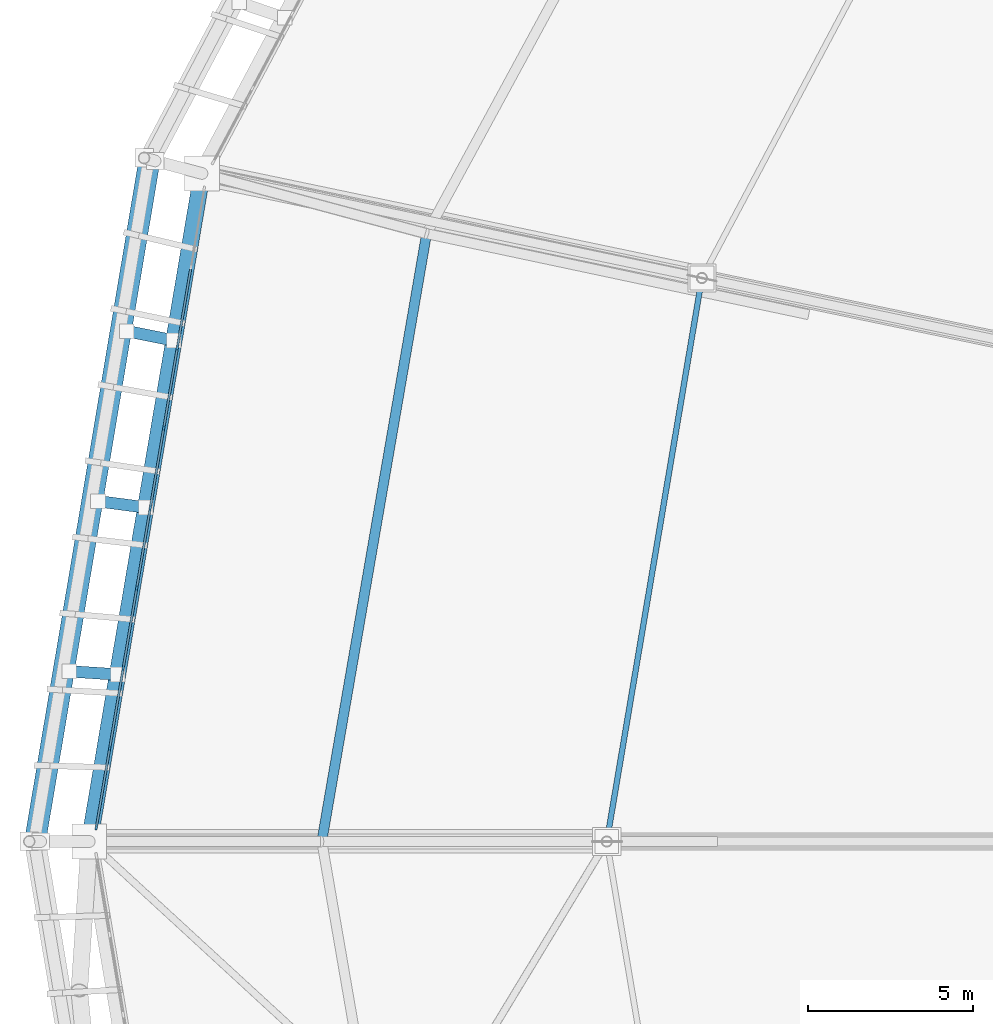
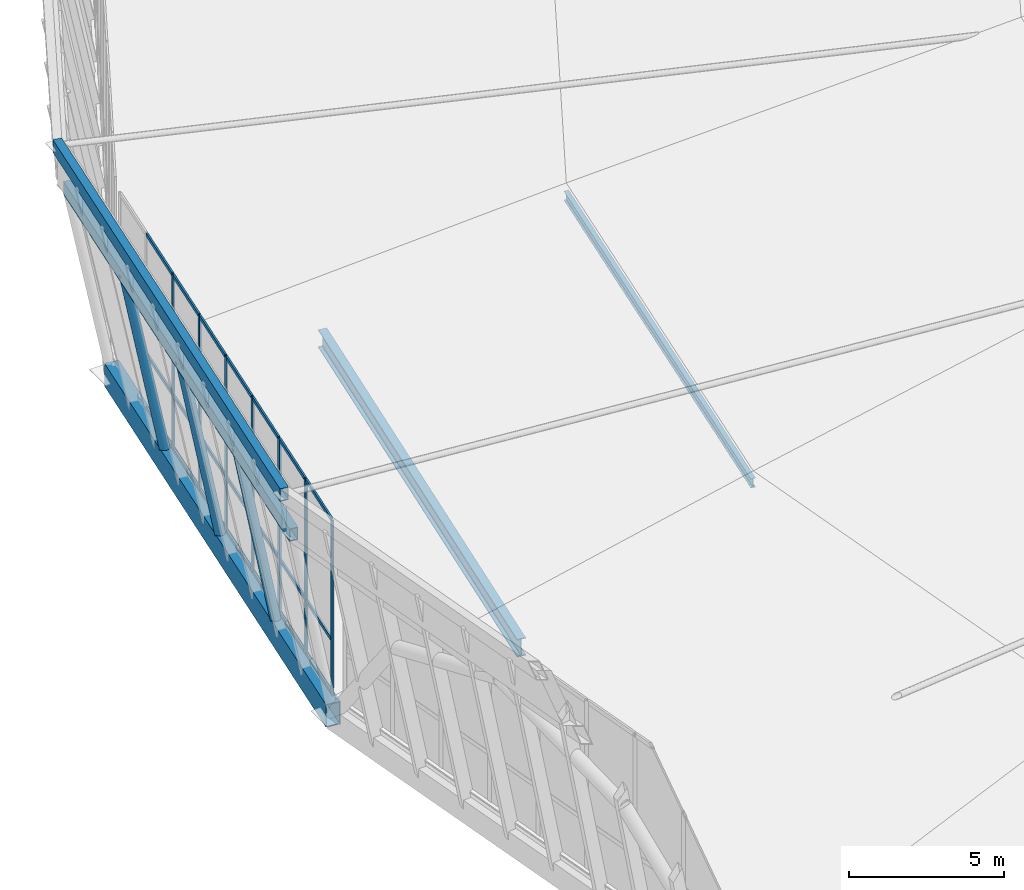
# One storey, part 23 of 115: 32 members, 4 beams, 1 element without a shape of its own.
"""IFC4 building model written with IfcOpenShell, lengths in metres."""

from ifc_helpers import new_model, si_unit, direction, frame, origin, origin_2d, place, context, subcontext, project, spatial, rectangle, hollow_rectangle, hollow_circle, i_section, extrude, material, material_profile, profile_set, type_object, element, aggregate, save


model = new_model("IFC4")

# Units and contexts
model_context = context("Model", 3, precision=1e-05, world=origin(), true_north=direction((0.0, 1.0)))
body_context = subcontext(model_context, "Body", "Model", "MODEL_VIEW")
ifc_project = project(units=[si_unit("LENGTHUNIT", "METRE"), si_unit("AREAUNIT", "SQUARE_METRE"), si_unit("VOLUMEUNIT", "CUBIC_METRE"), si_unit("PLANEANGLEUNIT", "RADIAN"), si_unit("MASSUNIT", "GRAM", prefix="KILO")], contexts=[model_context])

# Site, building, storey
site_placement = place(None, origin())
site = spatial("IfcSite", under=ifc_project, at=site_placement, CompositionType="ELEMENT")
building_placement = place(site_placement, origin())
building = spatial("IfcBuilding", under=site, at=building_placement, Name="Zlatoyarsky Gate Stadium", CompositionType="ELEMENT")
storey_placement = place(building_placement, frame((0.0, 0.0, 31.800048828125)))
storey = spatial("IfcBuildingStorey", under=building, at=storey_placement, Name="RF", CompositionType="ELEMENT", Elevation=31.800048828125)

# Curtain wall, members
ifc_material_1 = material(Name="Thermally broken anodised aluminium curtain wall", Category="aluminium")
curtain_wall_type = type_object("IfcCurtainWallType", Name="UNITISED SKYBOX RING GLAZING L05", PredefinedType="USERDEFINED", material=ifc_material_1)
curtain_wall_placement = place(storey_placement, origin())
curtain_wall = element("IfcCurtainWall", 1, at=curtain_wall_placement, inside=storey, type_object=curtain_wall_type, Name="Curtain wall CW-RF-11", ObjectType="UNITISED GLAZING", PredefinedType="USERDEFINED")
ifc_material_2 = material(Name="Anodised aluminium 6063-T6", Category="aluminium")
ifc_material_profile_1 = material_profile(ifc_material_2, rectangle(XDim=0.06494140625, YDim=0.159912109375, at=origin_2d()), Name="ALU 65X160")
ifc_profile_set_1 = profile_set([ifc_material_profile_1], Name="Anodised aluminium 6063-T6")
member_type_1 = type_object("IfcMemberType", Name="ALUMINIUM MULLION 65X160", PredefinedType="MULLION", material=ifc_profile_set_1)
member_1_placement = place(storey_placement, frame((13.6318359375, 94.921875, 0.0), z_axis=(0.0, 0.0, 1.0), x_axis=(0.986044463486, -0.166482179311, 0.0)))
member_1 = element("IfcMember", 2, at=member_1_placement, type_object=member_type_1, Name="CW-UG5 mullion 3", PredefinedType="MULLION", context=body_context, shape_type="SweptSolid", body=[
    extrude(rectangle(XDim=0.06494140625, YDim=0.159912109375, at=origin_2d()), origin(), (0.0, 0.0, 1.0), 6.89990234375),
])
member_2_placement = place(storey_placement, frame((13.222900390625, 92.500732421875, 0.0), z_axis=(0.0, 0.0, 1.0), x_axis=(0.986044463486, -0.166482179311, 0.0)))
member_2 = element("IfcMember", 3, at=member_2_placement, type_object=member_type_1, Name="CW-UG5 mullion 4", PredefinedType="MULLION", context=body_context, shape_type="SweptSolid", body=[
    extrude(rectangle(XDim=0.06494140625, YDim=0.159912109375, at=origin_2d()), origin(), (0.0, 0.0, 1.0), 6.89990234375),
])
member_3_placement = place(storey_placement, frame((12.814208984375, 90.079345703125, 0.0), z_axis=(0.0, 0.0, 1.0), x_axis=(0.986044463486, -0.166482179311, 0.0)))
member_3 = element("IfcMember", 4, at=member_3_placement, type_object=member_type_1, Name="CW-UG5 mullion 5", PredefinedType="MULLION", context=body_context, shape_type="SweptSolid", body=[
    extrude(rectangle(XDim=0.06494140625, YDim=0.159912109375, at=origin_2d()), origin(), (0.0, 0.0, 1.0), 6.89990234375),
])
member_4_placement = place(storey_placement, frame((12.405517578125, 87.658203125, 0.0), z_axis=(0.0, 0.0, 1.0), x_axis=(0.986044463486, -0.166482179311, 0.0)))
member_4 = element("IfcMember", 5, at=member_4_placement, type_object=member_type_1, Name="CW-UG5 mullion 6", PredefinedType="MULLION", context=body_context, shape_type="SweptSolid", body=[
    extrude(rectangle(XDim=0.06494140625, YDim=0.159912109375, at=origin_2d()), origin(), (0.0, 0.0, 1.0), 6.89990234375),
])
member_5_placement = place(storey_placement, frame((11.99658203125, 85.23681640625, 0.0), z_axis=(0.0, 0.0, 1.0), x_axis=(0.986044463486, -0.166482179311, 0.0)))
member_5 = element("IfcMember", 6, at=member_5_placement, type_object=member_type_1, Name="CW-UG5 mullion 7", PredefinedType="MULLION", context=body_context, shape_type="SweptSolid", body=[
    extrude(rectangle(XDim=0.06494140625, YDim=0.159912109375, at=origin_2d()), origin(), (0.0, 0.0, 1.0), 6.89990234375),
])
member_6_placement = place(storey_placement, frame((11.587890625, 82.815673828125, 0.0), z_axis=(0.0, 0.0, 1.0), x_axis=(0.986044463486, -0.166482179311, 0.0)))
member_6 = element("IfcMember", 7, at=member_6_placement, type_object=member_type_1, Name="CW-UG5 mullion 8", PredefinedType="MULLION", context=body_context, shape_type="SweptSolid", body=[
    extrude(rectangle(XDim=0.06494140625, YDim=0.159912109375, at=origin_2d()), origin(), (0.0, 0.0, 1.0), 6.89990234375),
])
member_7_placement = place(storey_placement, frame((11.184326171875, 80.426513671875, 0.0), z_axis=(0.0, 0.0, 1.0), x_axis=(0.986044463486, -0.166482179311, 0.0)))
member_7 = element("IfcMember", 8, at=member_7_placement, type_object=member_type_1, Name="CW-UG5 mullion 9", PredefinedType="MULLION", context=body_context, shape_type="SweptSolid", body=[
    extrude(rectangle(XDim=0.06494140625, YDim=0.159912109375, at=origin_2d()), origin(), (0.0, 0.0, 1.0), 6.89990234375),
])
ifc_material_profile_2 = material_profile(ifc_material_2, rectangle(XDim=0.06494140625, YDim=0.139892578125, at=origin_2d()), Name="ALU 65X140")
ifc_profile_set_2 = profile_set([ifc_material_profile_2], Name="Anodised aluminium 6063-T6")
member_type_2 = type_object("IfcMemberType", Name="ALUMINIUM TRANSOM 65X140", PredefinedType="USERDEFINED", material=ifc_profile_set_2)
member_8_placement = place(storey_placement, frame((14.03515625, 97.31103515625, 0.032470703125), z_axis=(-0.166468789266, -0.986046724147, 0.0), x_axis=(0.986046724147, -0.166468789266, 0.0)))
member_8 = element("IfcMember", 9, at=member_8_placement, type_object=member_type_2, Name="CW-UG5 transom 2.1", ObjectType="TRANSOM", PredefinedType="USERDEFINED", context=body_context, shape_type="SweptSolid", body=[
    extrude(rectangle(XDim=0.06494140625, YDim=0.139892578125, at=origin_2d()), origin(), (0.0, 0.0, 1.0), 2.390625),
])
member_9_placement = place(storey_placement, frame((14.03515625, 97.31103515625, 2.14990234375), z_axis=(-0.166468789266, -0.986046724147, 0.0), x_axis=(0.986046724147, -0.166468789266, 0.0)))
member_9 = element("IfcMember", 10, at=member_9_placement, type_object=member_type_2, Name="CW-UG5 transom 2.2", ObjectType="TRANSOM", PredefinedType="USERDEFINED", context=body_context, shape_type="SweptSolid", body=[
    extrude(rectangle(XDim=0.06494140625, YDim=0.139892578125, at=origin_2d()), origin(), (0.0, 0.0, 1.0), 2.390625),
])
member_10_placement = place(storey_placement, frame((14.03515625, 97.31103515625, 6.867431640625), z_axis=(-0.166468789266, -0.986046724147, 0.0), x_axis=(0.986046724147, -0.166468789266, 0.0)))
member_10 = element("IfcMember", 11, at=member_10_placement, type_object=member_type_2, Name="CW-UG5 transom 2.3", ObjectType="TRANSOM", PredefinedType="USERDEFINED", context=body_context, shape_type="SweptSolid", body=[
    extrude(rectangle(XDim=0.06494140625, YDim=0.139892578125, at=origin_2d()), origin(), (0.0, 0.0, 1.0), 2.390625),
])
member_11_placement = place(storey_placement, frame((13.62646484375, 94.889892578125, 0.032470703125), z_axis=(-0.166468789266, -0.986046724147, 0.0), x_axis=(0.986046724147, -0.166468789266, 0.0)))
member_11 = element("IfcMember", 12, at=member_11_placement, type_object=member_type_2, Name="CW-UG5 transom 3.1", ObjectType="TRANSOM", PredefinedType="USERDEFINED", context=body_context, shape_type="SweptSolid", body=[
    extrude(rectangle(XDim=0.06494140625, YDim=0.139892578125, at=origin_2d()), origin(), (0.0, 0.0, 1.0), 2.390625),
])
member_12_placement = place(storey_placement, frame((13.62646484375, 94.889892578125, 2.14990234375), z_axis=(-0.166468789266, -0.986046724147, 0.0), x_axis=(0.986046724147, -0.166468789266, 0.0)))
member_12 = element("IfcMember", 13, at=member_12_placement, type_object=member_type_2, Name="CW-UG5 transom 3.2", ObjectType="TRANSOM", PredefinedType="USERDEFINED", context=body_context, shape_type="SweptSolid", body=[
    extrude(rectangle(XDim=0.06494140625, YDim=0.139892578125, at=origin_2d()), origin(), (0.0, 0.0, 1.0), 2.390625),
])
member_13_placement = place(storey_placement, frame((13.62646484375, 94.889892578125, 6.867431640625), z_axis=(-0.166468789266, -0.986046724147, 0.0), x_axis=(0.986046724147, -0.166468789266, 0.0)))
member_13 = element("IfcMember", 14, at=member_13_placement, type_object=member_type_2, Name="CW-UG5 transom 3.3", ObjectType="TRANSOM", PredefinedType="USERDEFINED", context=body_context, shape_type="SweptSolid", body=[
    extrude(rectangle(XDim=0.06494140625, YDim=0.139892578125, at=origin_2d()), origin(), (0.0, 0.0, 1.0), 2.390625),
])
member_14_placement = place(storey_placement, frame((13.217529296875, 92.468505859375, 0.032470703125), z_axis=(-0.166468789266, -0.986046724147, 0.0), x_axis=(0.986046724147, -0.166468789266, 0.0)))
member_14 = element("IfcMember", 15, at=member_14_placement, type_object=member_type_2, Name="CW-UG5 transom 4.1", ObjectType="TRANSOM", PredefinedType="USERDEFINED", context=body_context, shape_type="SweptSolid", body=[
    extrude(rectangle(XDim=0.06494140625, YDim=0.139892578125, at=origin_2d()), origin(), (0.0, 0.0, 1.0), 2.390625),
])
member_15_placement = place(storey_placement, frame((13.217529296875, 92.468505859375, 2.14990234375), z_axis=(-0.166468789266, -0.986046724147, 0.0), x_axis=(0.986046724147, -0.166468789266, 0.0)))
member_15 = element("IfcMember", 16, at=member_15_placement, type_object=member_type_2, Name="CW-UG5 transom 4.2", ObjectType="TRANSOM", PredefinedType="USERDEFINED", context=body_context, shape_type="SweptSolid", body=[
    extrude(rectangle(XDim=0.06494140625, YDim=0.139892578125, at=origin_2d()), origin(), (0.0, 0.0, 1.0), 2.390625),
])
member_16_placement = place(storey_placement, frame((13.217529296875, 92.468505859375, 6.867431640625), z_axis=(-0.166468789266, -0.986046724147, 0.0), x_axis=(0.986046724147, -0.166468789266, 0.0)))
member_16 = element("IfcMember", 17, at=member_16_placement, type_object=member_type_2, Name="CW-UG5 transom 4.3", ObjectType="TRANSOM", PredefinedType="USERDEFINED", context=body_context, shape_type="SweptSolid", body=[
    extrude(rectangle(XDim=0.06494140625, YDim=0.139892578125, at=origin_2d()), origin(), (0.0, 0.0, 1.0), 2.390625),
])
member_17_placement = place(storey_placement, frame((12.808837890625, 90.04736328125, 0.032470703125), z_axis=(-0.166468789266, -0.986046724147, 0.0), x_axis=(0.986046724147, -0.166468789266, 0.0)))
member_17 = element("IfcMember", 18, at=member_17_placement, type_object=member_type_2, Name="CW-UG5 transom 5.1", ObjectType="TRANSOM", PredefinedType="USERDEFINED", context=body_context, shape_type="SweptSolid", body=[
    extrude(rectangle(XDim=0.06494140625, YDim=0.139892578125, at=origin_2d()), origin(), (0.0, 0.0, 1.0), 2.390625),
])
member_18_placement = place(storey_placement, frame((12.808837890625, 90.04736328125, 2.14990234375), z_axis=(-0.166468789266, -0.986046724147, 0.0), x_axis=(0.986046724147, -0.166468789266, 0.0)))
member_18 = element("IfcMember", 19, at=member_18_placement, type_object=member_type_2, Name="CW-UG5 transom 5.2", ObjectType="TRANSOM", PredefinedType="USERDEFINED", context=body_context, shape_type="SweptSolid", body=[
    extrude(rectangle(XDim=0.06494140625, YDim=0.139892578125, at=origin_2d()), origin(), (0.0, 0.0, 1.0), 2.390625),
])
member_19_placement = place(storey_placement, frame((12.808837890625, 90.04736328125, 6.867431640625), z_axis=(-0.166468789266, -0.986046724147, 0.0), x_axis=(0.986046724147, -0.166468789266, 0.0)))
member_19 = element("IfcMember", 20, at=member_19_placement, type_object=member_type_2, Name="CW-UG5 transom 5.3", ObjectType="TRANSOM", PredefinedType="USERDEFINED", context=body_context, shape_type="SweptSolid", body=[
    extrude(rectangle(XDim=0.06494140625, YDim=0.139892578125, at=origin_2d()), origin(), (0.0, 0.0, 1.0), 2.390625),
])
member_20_placement = place(storey_placement, frame((12.39990234375, 87.626220703125, 0.032470703125), z_axis=(-0.166468789266, -0.986046724147, 0.0), x_axis=(0.986046724147, -0.166468789266, 0.0)))
member_20 = element("IfcMember", 21, at=member_20_placement, type_object=member_type_2, Name="CW-UG5 transom 6.1", ObjectType="TRANSOM", PredefinedType="USERDEFINED", context=body_context, shape_type="SweptSolid", body=[
    extrude(rectangle(XDim=0.06494140625, YDim=0.139892578125, at=origin_2d()), origin(), (0.0, 0.0, 1.0), 2.390625),
])
member_21_placement = place(storey_placement, frame((12.39990234375, 87.626220703125, 2.14990234375), z_axis=(-0.166468789266, -0.986046724147, 0.0), x_axis=(0.986046724147, -0.166468789266, 0.0)))
member_21 = element("IfcMember", 22, at=member_21_placement, type_object=member_type_2, Name="CW-UG5 transom 6.2", ObjectType="TRANSOM", PredefinedType="USERDEFINED", context=body_context, shape_type="SweptSolid", body=[
    extrude(rectangle(XDim=0.06494140625, YDim=0.139892578125, at=origin_2d()), origin(), (0.0, 0.0, 1.0), 2.390625),
])
member_22_placement = place(storey_placement, frame((12.39990234375, 87.626220703125, 6.867431640625), z_axis=(-0.166468789266, -0.986046724147, 0.0), x_axis=(0.986046724147, -0.166468789266, 0.0)))
member_22 = element("IfcMember", 23, at=member_22_placement, type_object=member_type_2, Name="CW-UG5 transom 6.3", ObjectType="TRANSOM", PredefinedType="USERDEFINED", context=body_context, shape_type="SweptSolid", body=[
    extrude(rectangle(XDim=0.06494140625, YDim=0.139892578125, at=origin_2d()), origin(), (0.0, 0.0, 1.0), 2.390625),
])
member_23_placement = place(storey_placement, frame((11.9912109375, 85.204833984375, 0.032470703125), z_axis=(-0.166468789266, -0.986046724147, 0.0), x_axis=(0.986046724147, -0.166468789266, 0.0)))
member_23 = element("IfcMember", 24, at=member_23_placement, type_object=member_type_2, Name="CW-UG5 transom 7.1", ObjectType="TRANSOM", PredefinedType="USERDEFINED", context=body_context, shape_type="SweptSolid", body=[
    extrude(rectangle(XDim=0.06494140625, YDim=0.139892578125, at=origin_2d()), origin(), (0.0, 0.0, 1.0), 2.390625),
])
member_24_placement = place(storey_placement, frame((11.9912109375, 85.204833984375, 2.14990234375), z_axis=(-0.166468789266, -0.986046724147, 0.0), x_axis=(0.986046724147, -0.166468789266, 0.0)))
member_24 = element("IfcMember", 25, at=member_24_placement, type_object=member_type_2, Name="CW-UG5 transom 7.2", ObjectType="TRANSOM", PredefinedType="USERDEFINED", context=body_context, shape_type="SweptSolid", body=[
    extrude(rectangle(XDim=0.06494140625, YDim=0.139892578125, at=origin_2d()), origin(), (0.0, 0.0, 1.0), 2.390625),
])
member_25_placement = place(storey_placement, frame((11.9912109375, 85.204833984375, 6.867431640625), z_axis=(-0.166468789266, -0.986046724147, 0.0), x_axis=(0.986046724147, -0.166468789266, 0.0)))
member_25 = element("IfcMember", 26, at=member_25_placement, type_object=member_type_2, Name="CW-UG5 transom 7.3", ObjectType="TRANSOM", PredefinedType="USERDEFINED", context=body_context, shape_type="SweptSolid", body=[
    extrude(rectangle(XDim=0.06494140625, YDim=0.139892578125, at=origin_2d()), origin(), (0.0, 0.0, 1.0), 2.390625),
])
member_26_placement = place(storey_placement, frame((11.582275390625, 82.78369140625, 0.032470703125), z_axis=(-0.166379800687, -0.986061743464, 0.0), x_axis=(0.986061743464, -0.166379800687, 0.0)))
member_26 = element("IfcMember", 27, at=member_26_placement, type_object=member_type_2, Name="CW-UG5 transom 8.1", ObjectType="TRANSOM", PredefinedType="USERDEFINED", context=body_context, shape_type="SweptSolid", body=[
    extrude(rectangle(XDim=0.06494140625, YDim=0.139892578125, at=origin_2d()), origin(), (0.0, 0.0, 1.0), 2.358154296875),
])
member_27_placement = place(storey_placement, frame((11.582275390625, 82.78369140625, 2.14990234375), z_axis=(-0.166379800687, -0.986061743464, 0.0), x_axis=(0.986061743464, -0.166379800687, 0.0)))
member_27 = element("IfcMember", 28, at=member_27_placement, type_object=member_type_2, Name="CW-UG5 transom 8.2", ObjectType="TRANSOM", PredefinedType="USERDEFINED", context=body_context, shape_type="SweptSolid", body=[
    extrude(rectangle(XDim=0.06494140625, YDim=0.139892578125, at=origin_2d()), origin(), (0.0, 0.0, 1.0), 2.358154296875),
])
member_28_placement = place(storey_placement, frame((11.582275390625, 82.78369140625, 6.867431640625), z_axis=(-0.166379800687, -0.986061743464, 0.0), x_axis=(0.986061743464, -0.166379800687, 0.0)))
member_28 = element("IfcMember", 29, at=member_28_placement, type_object=member_type_2, Name="CW-UG5 transom 8.3", ObjectType="TRANSOM", PredefinedType="USERDEFINED", context=body_context, shape_type="SweptSolid", body=[
    extrude(rectangle(XDim=0.06494140625, YDim=0.139892578125, at=origin_2d()), origin(), (0.0, 0.0, 1.0), 2.358154296875),
])
aggregate(curtain_wall, [member_1, member_2, member_3, member_4, member_5, member_6, member_7, member_8, member_9, member_10, member_11, member_12, member_13, member_14, member_15, member_16, member_17, member_18, member_19, member_20, member_21, member_22, member_23, member_24, member_25, member_26, member_27, member_28])

# Members
ifc_material_3 = material(Name="Steel S355", Category="steel")
ifc_material_profile_3 = material_profile(ifc_material_3, hollow_circle(Radius=0.177734375, WallThickness=0.02001953125, at=origin_2d()), Name="CHS 355.6X20")
ifc_profile_set_3 = profile_set([ifc_material_profile_3], Name="Steel S355")
member_type_3 = type_object("IfcMemberType", Name="STEEL LEANING RIB RING STRUT CHS 355.6X20", PredefinedType="STRUT", material=ifc_profile_set_3)
member_29_placement = place(storey_placement, frame((13.52880859375, 95.146240234375, -0.449951171875), z_axis=(-0.18484356821, 0.036817280099, 0.982078073871), x_axis=(-0.195343507501, -0.980734884705, 0.0)))
element("IfcMember", 30, at=member_29_placement, inside=storey, type_object=member_type_3, Name="Outward-leaning bowl louvre fin rib RF 11-1", PredefinedType="STRUT", context=body_context, shape_type="SweptSolid", body=[
    extrude(hollow_circle(Radius=0.177734375, WallThickness=0.02001953125, at=origin_2d()), origin(), (0.0, 0.0, 1.0), 7.738525390625),
])
member_30_placement = place(storey_placement, frame((12.676513671875, 90.097412109375, -0.449951171875), z_axis=(-0.186436463482, 0.024578440523, 0.982159531515), x_axis=(-0.130701897913, -0.991421713441, 0.0)))
element("IfcMember", 31, at=member_30_placement, inside=storey, type_object=member_type_3, Name="Outward-leaning bowl louvre fin rib RF 11-2", PredefinedType="STRUT", context=body_context, shape_type="SweptSolid", body=[
    extrude(hollow_circle(Radius=0.177734375, WallThickness=0.02001953125, at=origin_2d()), origin(), (0.0, 0.0, 1.0), 7.73779296875),
])
member_31_placement = place(storey_placement, frame((11.824462890625, 85.048828125, -0.449951171875), z_axis=(-0.188031559001, 0.012272529606, 0.982086308751), x_axis=(-0.065129878095, -0.997876795491, 0.0)))
element("IfcMember", 32, at=member_31_placement, inside=storey, type_object=member_type_3, Name="Outward-leaning bowl louvre fin rib RF 11-3", PredefinedType="STRUT", context=body_context, shape_type="SweptSolid", body=[
    extrude(hollow_circle(Radius=0.177734375, WallThickness=0.02001953125, at=origin_2d()), origin(), (0.0, 0.0, 1.0), 7.738525390625),
])
ifc_material_profile_4 = material_profile(ifc_material_3, i_section(OverallWidth=0.169921875, OverallDepth=0.360107421875, WebThickness=0.008056640625, FlangeThickness=0.0126953125, FilletRadius=0.01806640625, at=origin_2d()), Name="IPE 360")
ifc_profile_set_4 = profile_set([ifc_material_profile_4], Name="Steel S355")
member_type_4 = type_object("IfcMemberType", Name="STEEL LONG SPAN PURLIN IPE 360", PredefinedType="PURLIN", material=ifc_profile_set_4)
member_32_placement = place(storey_placement, frame((29.491943359375, 97.03662109375, 3.179931640625), z_axis=(-0.166415106853, -0.986055785547, 0.0), x_axis=(0.986055785547, -0.166415106853, 0.0)))
element("IfcMember", 33, at=member_32_placement, inside=storey, type_object=member_type_4, Name="Stadium roof purlin 11.1", PredefinedType="PURLIN", context=body_context, shape_type="SweptSolid", body=[
    extrude(i_section(OverallWidth=0.169921875, OverallDepth=0.360107421875, WebThickness=0.008056640625, FlangeThickness=0.0126953125, FilletRadius=0.01806640625, at=origin_2d()), origin(), (0.0, 0.0, 1.0), 17.277587890625),
])

# Beams
ifc_material_profile_5 = material_profile(ifc_material_3, hollow_rectangle(XDim=0.300048828125, YDim=0.5, WallThickness=0.02001953125, at=origin_2d()), Name="RHS 500X300X20")
ifc_profile_set_5 = profile_set([ifc_material_profile_5], Name="Steel S355")
beam_type_1 = type_object("IfcBeamType", Name="STEEL LOUVRE CARRIER SPANDREL RHS 500X300X20", PredefinedType="SPANDREL", material=ifc_profile_set_5)
beam_1_placement = place(storey_placement, frame((12.963134765625, 100.574951171875, 7.14990234375), z_axis=(-0.165766985081, -0.986164949011, 0.0), x_axis=(0.986164949011, -0.165766985081, 0.0)))
element("IfcBeam", 34, at=beam_1_placement, inside=storey, type_object=beam_type_1, Name="Crown eaves fascia bottom carrier spandrel 11", PredefinedType="SPANDREL", context=body_context, shape_type="SweptSolid", body=[
    extrude(hollow_rectangle(XDim=0.300048828125, YDim=0.5, WallThickness=0.02001953125, at=origin_2d()), origin(), (0.0, 0.0, 1.0), 20.863525390625),
])
beam_2_placement = place(storey_placement, frame((12.626220703125, 100.665283203125, 8.849853515625), z_axis=(-0.165617482559, -0.986190067619, 0.0), x_axis=(0.986190067619, -0.165617482559, 0.0)))
element("IfcBeam", 35, at=beam_2_placement, inside=storey, type_object=beam_type_1, Name="Crown fascia top carrier spandrel 11", PredefinedType="SPANDREL", context=body_context, shape_type="SweptSolid", body=[
    extrude(hollow_rectangle(XDim=0.300048828125, YDim=0.5, WallThickness=0.02001953125, at=origin_2d()), origin(), (0.0, 0.0, 1.0), 20.95458984375),
])
ifc_material_profile_6 = material_profile(ifc_material_3, hollow_rectangle(XDim=0.5, YDim=0.89990234375, WallThickness=0.028076171875, at=origin_2d()), Name="RHS 900X500X28")
ifc_profile_set_6 = profile_set([ifc_material_profile_6], Name="Steel S355")
beam_type_2 = type_object("IfcBeamType", Name="STEEL OUTER COMPRESSION RING BEAM RHS 900X500X28", PredefinedType="USERDEFINED", material=ifc_profile_set_6)
beam_3_placement = place(storey_placement, frame((14.380859375, 100.195068359375, -0.449951171875), z_axis=(-0.166422554359, -0.986054528614, 0.0), x_axis=(0.986054528614, -0.166422554359, 0.0)))
element("IfcBeam", 36, at=beam_3_placement, inside=storey, type_object=beam_type_2, Name="Outer compression ring beam 11", ObjectType="RING BEAM", PredefinedType="USERDEFINED", context=body_context, shape_type="SweptSolid", body=[
    extrude(hollow_rectangle(XDim=0.5, YDim=0.89990234375, WallThickness=0.028076171875, at=origin_2d()), origin(), (0.0, 0.0, 1.0), 20.480712890625),
])
ifc_material_profile_7 = material_profile(ifc_material_3, i_section(OverallWidth=0.300048828125, OverallDepth=0.699951171875, WebThickness=0.01708984375, FlangeThickness=0.031982421875, FilletRadius=0.027099609375, at=origin_2d()), Name="HEB 700")
ifc_profile_set_7 = profile_set([ifc_material_profile_7], Name="Steel S355")
beam_type_3 = type_object("IfcBeamType", Name="STEEL ROOF RING GIRDER HEB 700", PredefinedType="BEAM", material=ifc_profile_set_7)
beam_4_placement = place(storey_placement, frame((21.162109375, 98.3369140625, -0.300048828125), z_axis=(-0.169933775621, -0.985455484486, 0.0), x_axis=(0.985455484486, -0.169933775621, 0.0)))
element("IfcBeam", 37, at=beam_4_placement, inside=storey, type_object=beam_type_3, Name="RF roof tie girder BM-RF-CRC-11", PredefinedType="BEAM", context=body_context, shape_type="SweptSolid", body=[
    extrude(i_section(OverallWidth=0.300048828125, OverallDepth=0.699951171875, WebThickness=0.01708984375, FlangeThickness=0.031982421875, FilletRadius=0.027099609375, at=origin_2d()), origin(), (0.0, 0.0, 1.0), 18.567626953125),
])

save(model, "model.ifc")
